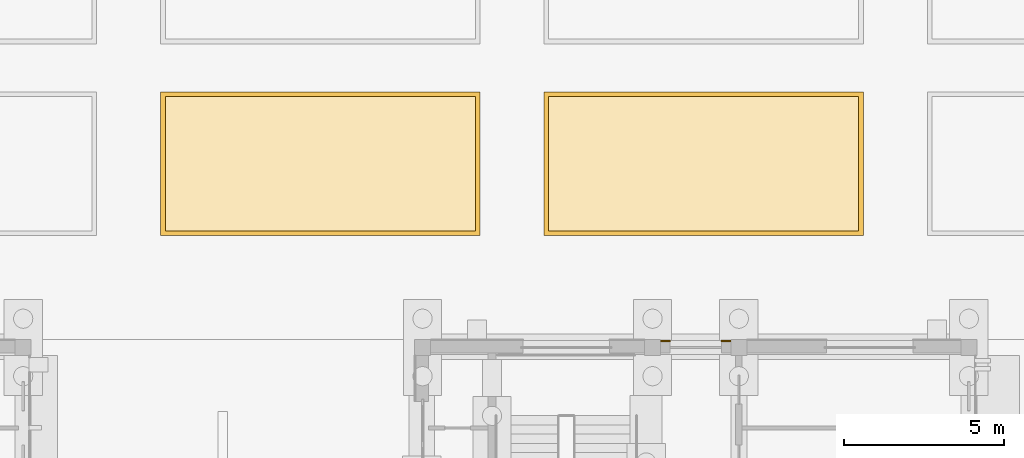
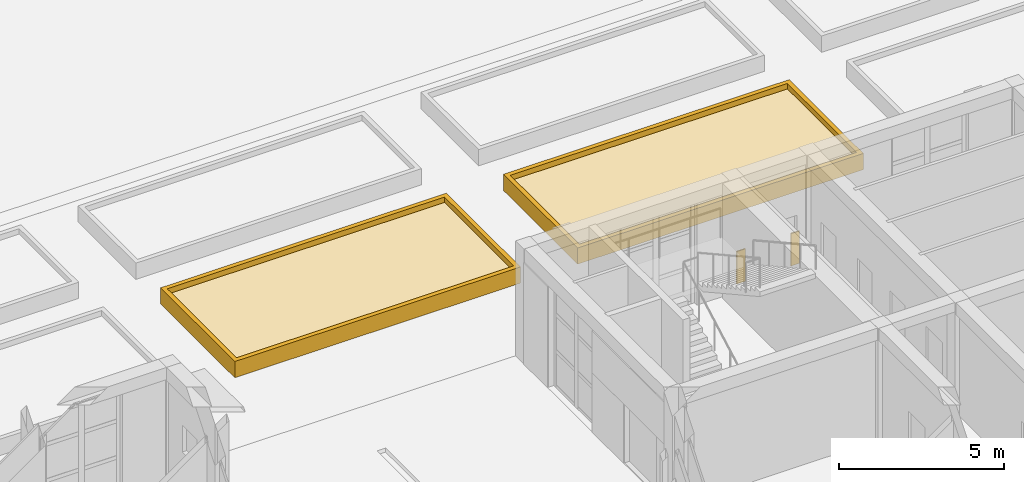
# One storey, part 142 of 161: 6 coverings.
"""IFC4 building model written with IfcOpenShell, lengths in metres."""

import ifcopenshell
import ifcopenshell.guid

model = None  # the IFC model being written
_history = None  # IfcOwnerHistory: only IFC2X3 demands one
_inside = {}  # id of a spatial element -> (the spatial element, [elements in it])
_under = {}  # id of a project, library or spatial element -> (it, [spatial elements below it])
_declared = {}  # id of a project -> (the project, [libraries it declares])
_typed = {}  # id of a type object -> (the type object, [elements of that type])
_made_of = {}  # id of a material, layer set ... -> (it, [elements and type objects made of it])


def new_model(schema):
    """Start an empty IFC model of exactly this schema.

    Asked for "IFC4X3", IfcOpenShell would pick the latest addendum, in which some entities
    have other attributes; the version numbers below select the first issue.
    IFC2X3 requires an IfcOwnerHistory on every rooted entity: one is made here for all.
    """
    global model, _history
    if schema == "IFC4X3":
        model = ifcopenshell.file(schema_version=(4, 3, 0, 0))
    else:
        model = ifcopenshell.file(schema=schema)
    _inside.clear()
    _under.clear()
    _declared.clear()
    _typed.clear()
    _made_of.clear()
    _history = None
    if model.schema == "IFC2X3":
        org = make("IfcOrganization", Name="unknown")
        user = make(
            "IfcPersonAndOrganization",
            ThePerson=make("IfcPerson", FamilyName="unknown"),
            TheOrganization=org,
        )
        app = make(
            "IfcApplication",
            ApplicationDeveloper=org,
            Version="unknown",
            ApplicationFullName="unknown",
            ApplicationIdentifier="unknown",
        )
        _history = make(
            "IfcOwnerHistory",
            OwningUser=user,
            OwningApplication=app,
            ChangeAction="ADDED",
            CreationDate=0,
        )
    return model


def make(cls, **values):
    """One entity of the class cls with the attributes given. An attribute that is None is left unset."""
    return model.create_entity(
        cls, **{name: value for name, value in values.items() if value is not None}
    )


def rooted(cls, **values):
    """An entity with a GlobalId (a new one), such as an element, a storey or a relation."""
    return make(cls, GlobalId=ifcopenshell.guid.new(), OwnerHistory=_history, **values)


def si_unit(unit_type, name, prefix=None):
    """IfcSIUnit, for example si_unit("LENGTHUNIT", "METRE", prefix="MILLI")."""
    return make("IfcSIUnit", UnitType=unit_type, Prefix=prefix, Name=name)


def assignment(units):
    """IfcUnitAssignment: the units of a project."""
    return None if units is None else make("IfcUnitAssignment", Units=units)


def point(xyz):
    """IfcCartesianPoint."""
    return None if xyz is None else make("IfcCartesianPoint", Coordinates=xyz)


def direction(xyz):
    """IfcDirection."""
    return None if xyz is None else make("IfcDirection", DirectionRatios=xyz)


def frame(location, z_axis=None, x_axis=None):
    """IfcAxis2Placement3D, a coordinate frame: its origin and axes. An axis left out is left unset."""
    return make(
        "IfcAxis2Placement3D",
        Location=point(location),
        Axis=direction(z_axis),
        RefDirection=direction(x_axis),
    )


def frame_2d(location, x_axis=None):
    """IfcAxis2Placement2D, a coordinate frame in the plane: its origin and x axis."""
    return make(
        "IfcAxis2Placement2D", Location=point(location), RefDirection=direction(x_axis)
    )


def origin():
    """The frame at (0, 0, 0) with its axes left unset."""
    return frame((0.0, 0.0, 0.0))


def origin_2d():
    """The frame at (0, 0) in the plane with its x axis left unset."""
    return frame_2d((0.0, 0.0))


def place(relative_to, where):
    """IfcLocalPlacement: puts the frame where relative to a parent placement (None: the world)."""
    return make(
        "IfcLocalPlacement", PlacementRelTo=relative_to, RelativePlacement=where
    )


def context(
    kind, dimensions, precision=None, world=None, true_north=None, identifier=None
):
    """IfcGeometricRepresentationContext, for example the 3D "Model" context."""
    return make(
        "IfcGeometricRepresentationContext",
        ContextIdentifier=identifier,
        ContextType=kind,
        CoordinateSpaceDimension=dimensions,
        Precision=precision,
        WorldCoordinateSystem=world,
        TrueNorth=true_north,
    )


def subcontext(parent, identifier, kind, view, scale=None):
    """IfcGeometricRepresentationSubContext, for example "Body" below "Model"."""
    return make(
        "IfcGeometricRepresentationSubContext",
        ContextIdentifier=identifier,
        ContextType=kind,
        ParentContext=parent,
        TargetScale=scale,
        TargetView=view,
    )


def project(units=None, contexts=None):
    """IfcProject with its units and contexts."""
    return rooted(
        "IfcProject",
        Name="project",
        RepresentationContexts=contexts,
        UnitsInContext=assignment(units),
    )


def spatial(cls, under=None, at=None, **own):
    """A site, building, storey or space (cls), placed at a placement, below another one or the project."""
    s = rooted(cls, ObjectPlacement=at, **own)
    if under is not None:
        _under.setdefault(under.id(), (under, []))[1].append(s)
    return s


def polyline(points):
    """IfcPolyline through the points."""
    return make("IfcPolyline", Points=[point(p) for p in points])


def profile(cls, at=None, kind="AREA", **sizes):
    """A parametric profile (cls). Its sizes go by their IFC names, for example OverallWidth=200.0."""
    return make(cls, ProfileType=kind, Position=at, **sizes)


def rectangle(**sizes):
    """IfcRectangleProfileDef."""
    return profile("IfcRectangleProfileDef", **sizes)


def outline(outer, holes=None, kind="AREA"):
    """IfcArbitraryClosedProfileDef: a profile drawn as a closed curve; with holes, ...WithVoids."""
    if holes is None:
        return make("IfcArbitraryClosedProfileDef", ProfileType=kind, OuterCurve=outer)
    return make(
        "IfcArbitraryProfileDefWithVoids",
        ProfileType=kind,
        OuterCurve=outer,
        InnerCurves=holes,
    )


def extrude(swept, where, along, depth):
    """IfcExtrudedAreaSolid: the profile swept, set in the frame where, extruded along a direction by depth."""
    return make(
        "IfcExtrudedAreaSolid",
        SweptArea=swept,
        Position=where,
        ExtrudedDirection=direction(along),
        Depth=depth,
    )


def shape(context_of_items, identifier, shape_type, items):
    """IfcShapeRepresentation: the items that make up one representation, for example the "Body"."""
    return make(
        "IfcShapeRepresentation",
        ContextOfItems=context_of_items,
        RepresentationIdentifier=identifier,
        RepresentationType=shape_type,
        Items=items,
    )


def material(Name=None, Category=None):
    """IfcMaterial."""
    return make("IfcMaterial", Name=Name, Category=Category)


def layer(
    of_material, thickness, ventilated=None, Name=None, Category=None, Priority=None
):
    """IfcMaterialLayer: one layer of a wall or slab, of a material (None: an air gap)."""
    return make(
        "IfcMaterialLayer",
        Material=of_material,
        LayerThickness=thickness,
        IsVentilated=ventilated,
        Name=Name,
        Category=Category,
        Priority=Priority,
    )


def layer_set(layers, Name=None):
    """IfcMaterialLayerSet."""
    return make("IfcMaterialLayerSet", MaterialLayers=layers, LayerSetName=Name)


def made_of(thing, what):
    """Note that an element or type object is made of a material, layer set ...; save() writes the relation."""
    if what is not None:
        _made_of.setdefault(what.id(), (what, []))[1].append(thing)
    return thing


def type_object(cls, material=None, **own):
    """A type object (cls), such as IfcWallType, which elements share."""
    return made_of(rooted(cls, **own), material)


def element(
    cls,
    number,
    at=None,
    inside=None,
    cuts=None,
    type_object=None,
    material=None,
    context=None,
    identifier="Body",
    shape_type=None,
    held_by="IfcProductDefinitionShape",
    body=None,
    shapes=None,
    **own,
):
    """One element of the class cls, such as IfcWall. Its Tag is "e" and its number.

    at: its placement. inside: the storey or other place that contains it. cuts: it is an
    opening in that element (IfcRelVoidsElement). A single representation is given by context,
    identifier, shape_type and body (its items); several are given by shapes. held_by: the class
    of the entity that holds the representations. save() writes the other relations.
    """
    e = rooted(cls, Tag="e%d" % number, ObjectPlacement=at, **own)
    if body is not None:
        shapes = [shape(context, identifier, shape_type, body)]
    if shapes is not None:
        e.Representation = make(held_by, Representations=shapes)
    if inside is not None:
        _inside.setdefault(inside.id(), (inside, []))[1].append(e)
    if cuts is not None:
        rooted(
            "IfcRelVoidsElement", RelatingBuildingElement=cuts, RelatedOpeningElement=e
        )
    if type_object is not None:
        _typed.setdefault(type_object.id(), (type_object, []))[1].append(e)
    return made_of(e, material)


def aggregate(whole, parts):
    """IfcRelAggregates: a whole, such as a stair, and the parts it consists of."""
    return rooted("IfcRelAggregates", RelatingObject=whole, RelatedObjects=parts)


def save(model, path):
    """Write the relations noted so far, then the file.

    IfcRelAggregates (storeys below a building ...), IfcRelContainedInSpatialStructure (elements
    in a storey), IfcRelDefinesByType, IfcRelAssociatesMaterial and IfcRelDeclares: one each for
    every whole, place, type object, material and project.
    """
    for whole, parts in _under.values():
        aggregate(whole, parts)
    for where, things in _inside.values():
        rooted(
            "IfcRelContainedInSpatialStructure",
            RelatedElements=things,
            RelatingStructure=where,
        )
    for kind, things in _typed.values():
        rooted("IfcRelDefinesByType", RelatedObjects=things, RelatingType=kind)
    for what, things in _made_of.values():
        rooted("IfcRelAssociatesMaterial", RelatedObjects=things, RelatingMaterial=what)
    for by, libraries in _declared.values():
        rooted("IfcRelDeclares", RelatingContext=by, RelatedDefinitions=libraries)
    model.write(path)


model = new_model("IFC4")

# Units and contexts
model_context = context("Model", 3, precision=1e-05, world=origin(), true_north=direction((0.0, 1.0)))
body_context = subcontext(model_context, "Body", "Model", "MODEL_VIEW")
ifc_project = project(units=[si_unit("LENGTHUNIT", "METRE"), si_unit("AREAUNIT", "SQUARE_METRE"), si_unit("VOLUMEUNIT", "CUBIC_METRE"), si_unit("PLANEANGLEUNIT", "RADIAN"), si_unit("MASSUNIT", "GRAM", prefix="KILO")], contexts=[model_context])

# Site, building, storey
site_placement = place(None, origin())
site = spatial("IfcSite", under=ifc_project, at=site_placement, CompositionType="ELEMENT")
building_placement = place(site_placement, origin())
building = spatial("IfcBuilding", under=site, at=building_placement, Name="Elbe Cascade School", CompositionType="ELEMENT")
storey_placement = place(building_placement, origin())
storey = spatial("IfcBuildingStorey", under=building, at=storey_placement, Name="L00", CompositionType="ELEMENT", Elevation=0.0)

# Coverings
ifc_material_1 = material(Name="Sandstone - red", Category="masonry")
ifc_layer_1 = layer(ifc_material_1, 0.0400390625)
ifc_layer_set_1 = layer_set([ifc_layer_1], Name="Sandstone - red")
covering_type_1 = type_object("IfcCoveringType", Name="Bars envelope Sandstone cladding, red, 40 mm", PredefinedType="CLADDING", material=ifc_layer_set_1)
for number, where, z_axis, x_axis, name in (
    (1, (135.800048828125, 60.199951171875, 0.0), (0.0, 0.0, 1.0), (1.0, 0.0, 0.0), "Sandstone cladding CV48 C.L00.n.2.1"),
    (2, (137.699951171875, 60.199951171875, 0.0), (0.0, 0.0, 1.0), (1.0, 0.0, 0.0), "Sandstone cladding CV48 C.L00.n.2.2"),
):
    element("IfcCovering", number, at=place(storey_placement, frame(where, z_axis=z_axis, x_axis=x_axis)), inside=storey, type_object=covering_type_1, Name=name, PredefinedType="CLADDING", context=body_context, shape_type="SweptSolid", body=[
        extrude(rectangle(XDim=0.300048828125, YDim=0.0400390625, at=origin_2d()), origin(), (0.0, 0.0, 1.0), 1.199951171875),
    ])
ifc_material_2 = material(Name="Planting - soil and shrubs", Category="soil")
ifc_layer_2 = layer(ifc_material_2, 0.39990234375)
ifc_layer_set_2 = layer_set([ifc_layer_2], Name="Planting - soil and shrubs")
covering_type_2 = type_object("IfcCoveringType", Name="Site planting bed 400", PredefinedType="USERDEFINED", material=ifc_layer_set_2)
covering_1_placement = place(storey_placement, origin())
element("IfcCovering", 3, at=covering_1_placement, inside=storey, type_object=covering_type_2, Name="Deck planting bed north a.5", ObjectType="PLANTING BED", PredefinedType="USERDEFINED", context=body_context, shape_type="SweptSolid", body=[
    extrude(outline(polyline([(120.14990234375, 63.64990234375), (129.85009765625, 63.64990234375), (129.85009765625, 67.85009765625), (120.14990234375, 67.85009765625), (120.14990234375, 63.64990234375)])), origin(), (0.0, 0.0, 1.0), 0.39990234375),
])
covering_2_placement = place(storey_placement, origin())
element("IfcCovering", 4, at=covering_2_placement, inside=storey, type_object=covering_type_2, Name="Deck planting bed north a.6", ObjectType="PLANTING BED", PredefinedType="USERDEFINED", context=body_context, shape_type="SweptSolid", body=[
    extrude(outline(polyline([(132.14990234375, 63.64990234375), (141.85009765625, 63.64990234375), (141.85009765625, 67.85009765625), (132.14990234375, 67.85009765625), (132.14990234375, 63.64990234375)])), origin(), (0.0, 0.0, 1.0), 0.39990234375),
])
ifc_material_3 = material(Name="Concrete C30/37 precast kerb", Category="concrete")
ifc_layer_3 = layer(ifc_material_3, 0.14990234375)
ifc_layer_set_3 = layer_set([ifc_layer_3], Name="Concrete C30/37 precast kerb")
covering_type_3 = type_object("IfcCoveringType", Name="Site planting bed kerb 150x600", PredefinedType="CLADDING", material=ifc_layer_set_3)
covering_3_placement = place(storey_placement, origin())
element("IfcCovering", 5, at=covering_3_placement, inside=storey, type_object=covering_type_3, Name="Deck planting bed kerb north a.5", PredefinedType="CLADDING", context=body_context, shape_type="SweptSolid", body=[
    extrude(outline(polyline([(120.0, 63.5), (130.0, 63.5), (130.0, 68.0), (120.0, 68.0), (120.0, 63.5)]), holes=[polyline([(120.14990234375, 63.64990234375), (129.85009765625, 63.64990234375), (129.85009765625, 67.85009765625), (120.14990234375, 67.85009765625), (120.14990234375, 63.64990234375)])]), origin(), (0.0, 0.0, 1.0), 0.60009765625),
])
covering_4_placement = place(storey_placement, origin())
element("IfcCovering", 6, at=covering_4_placement, inside=storey, type_object=covering_type_3, Name="Deck planting bed kerb north a.6", PredefinedType="CLADDING", context=body_context, shape_type="SweptSolid", body=[
    extrude(outline(polyline([(132.0, 63.5), (142.0, 63.5), (142.0, 68.0), (132.0, 68.0), (132.0, 63.5)]), holes=[polyline([(132.14990234375, 63.64990234375), (141.85009765625, 63.64990234375), (141.85009765625, 67.85009765625), (132.14990234375, 67.85009765625), (132.14990234375, 63.64990234375)])]), origin(), (0.0, 0.0, 1.0), 0.60009765625),
])

save(model, "model.ifc")
